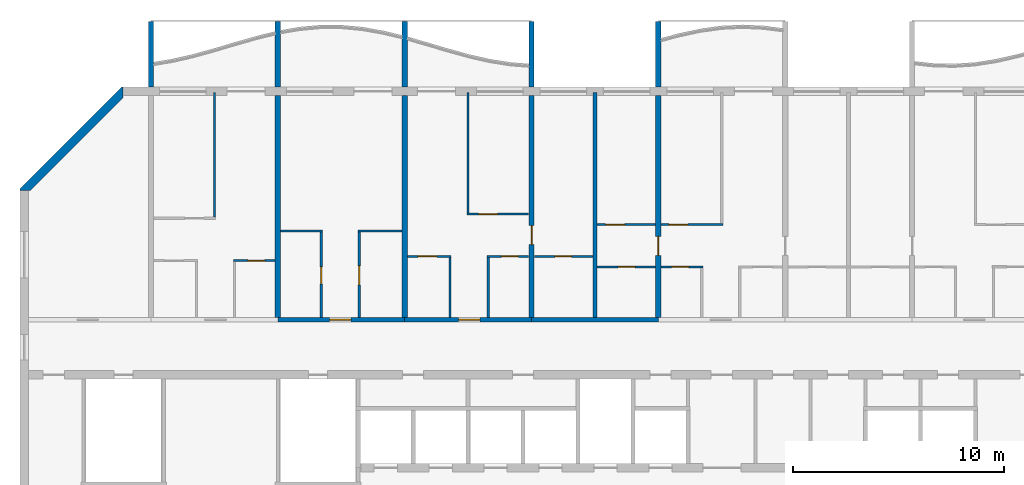
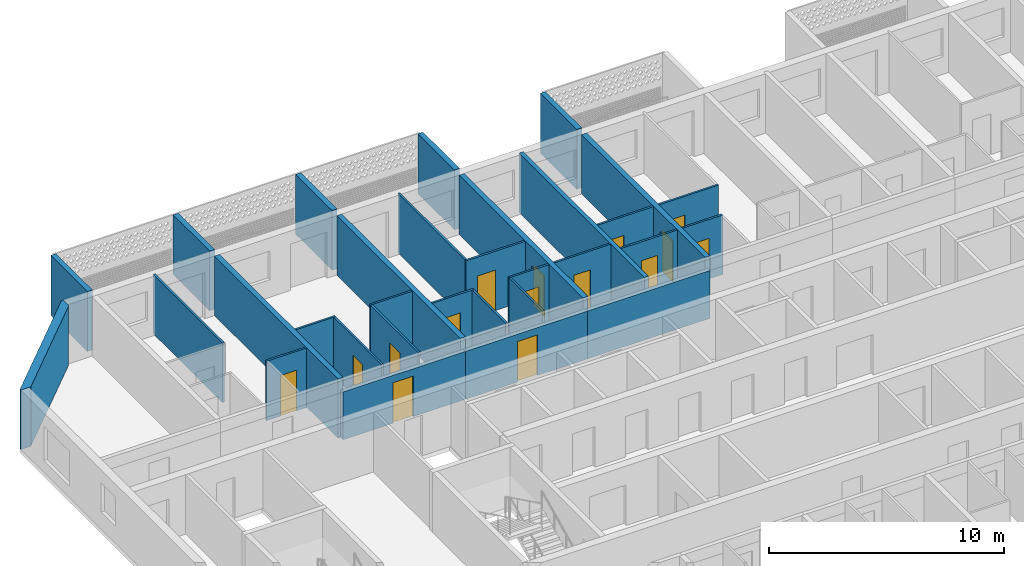
# One storey, part 8 of 27: 31 walls, 15 doors, 15 openings.
"""IFC4 building model written with IfcOpenShell, lengths in metres."""

import ifcopenshell
import ifcopenshell.guid

model = None  # the IFC model being written
_history = None  # IfcOwnerHistory: only IFC2X3 demands one
_inside = {}  # id of a spatial element -> (the spatial element, [elements in it])
_under = {}  # id of a project, library or spatial element -> (it, [spatial elements below it])
_declared = {}  # id of a project -> (the project, [libraries it declares])
_typed = {}  # id of a type object -> (the type object, [elements of that type])
_made_of = {}  # id of a material, layer set ... -> (it, [elements and type objects made of it])


def new_model(schema):
    """Start an empty IFC model of exactly this schema.

    Asked for "IFC4X3", IfcOpenShell would pick the latest addendum, in which some entities
    have other attributes; the version numbers below select the first issue.
    IFC2X3 requires an IfcOwnerHistory on every rooted entity: one is made here for all.
    """
    global model, _history
    if schema == "IFC4X3":
        model = ifcopenshell.file(schema_version=(4, 3, 0, 0))
    else:
        model = ifcopenshell.file(schema=schema)
    _inside.clear()
    _under.clear()
    _declared.clear()
    _typed.clear()
    _made_of.clear()
    _history = None
    if model.schema == "IFC2X3":
        org = make("IfcOrganization", Name="unknown")
        user = make(
            "IfcPersonAndOrganization",
            ThePerson=make("IfcPerson", FamilyName="unknown"),
            TheOrganization=org,
        )
        app = make(
            "IfcApplication",
            ApplicationDeveloper=org,
            Version="unknown",
            ApplicationFullName="unknown",
            ApplicationIdentifier="unknown",
        )
        _history = make(
            "IfcOwnerHistory",
            OwningUser=user,
            OwningApplication=app,
            ChangeAction="ADDED",
            CreationDate=0,
        )
    return model


def make(cls, **values):
    """One entity of the class cls with the attributes given. An attribute that is None is left unset."""
    return model.create_entity(
        cls, **{name: value for name, value in values.items() if value is not None}
    )


def rooted(cls, **values):
    """An entity with a GlobalId (a new one), such as an element, a storey or a relation."""
    return make(cls, GlobalId=ifcopenshell.guid.new(), OwnerHistory=_history, **values)


def si_unit(unit_type, name, prefix=None):
    """IfcSIUnit, for example si_unit("LENGTHUNIT", "METRE", prefix="MILLI")."""
    return make("IfcSIUnit", UnitType=unit_type, Prefix=prefix, Name=name)


def assignment(units):
    """IfcUnitAssignment: the units of a project."""
    return None if units is None else make("IfcUnitAssignment", Units=units)


def point(xyz):
    """IfcCartesianPoint."""
    return None if xyz is None else make("IfcCartesianPoint", Coordinates=xyz)


def direction(xyz):
    """IfcDirection."""
    return None if xyz is None else make("IfcDirection", DirectionRatios=xyz)


def frame(location, z_axis=None, x_axis=None):
    """IfcAxis2Placement3D, a coordinate frame: its origin and axes. An axis left out is left unset."""
    return make(
        "IfcAxis2Placement3D",
        Location=point(location),
        Axis=direction(z_axis),
        RefDirection=direction(x_axis),
    )


def frame_2d(location, x_axis=None):
    """IfcAxis2Placement2D, a coordinate frame in the plane: its origin and x axis."""
    return make(
        "IfcAxis2Placement2D", Location=point(location), RefDirection=direction(x_axis)
    )


def origin():
    """The frame at (0, 0, 0) with its axes left unset."""
    return frame((0.0, 0.0, 0.0))


def place(relative_to, where):
    """IfcLocalPlacement: puts the frame where relative to a parent placement (None: the world)."""
    return make(
        "IfcLocalPlacement", PlacementRelTo=relative_to, RelativePlacement=where
    )


def context(
    kind, dimensions, precision=None, world=None, true_north=None, identifier=None
):
    """IfcGeometricRepresentationContext, for example the 3D "Model" context."""
    return make(
        "IfcGeometricRepresentationContext",
        ContextIdentifier=identifier,
        ContextType=kind,
        CoordinateSpaceDimension=dimensions,
        Precision=precision,
        WorldCoordinateSystem=world,
        TrueNorth=true_north,
    )


def subcontext(parent, identifier, kind, view, scale=None):
    """IfcGeometricRepresentationSubContext, for example "Body" below "Model"."""
    return make(
        "IfcGeometricRepresentationSubContext",
        ContextIdentifier=identifier,
        ContextType=kind,
        ParentContext=parent,
        TargetScale=scale,
        TargetView=view,
    )


def project(units=None, contexts=None):
    """IfcProject with its units and contexts."""
    return rooted(
        "IfcProject",
        Name="project",
        RepresentationContexts=contexts,
        UnitsInContext=assignment(units),
    )


def spatial(cls, under=None, at=None, **own):
    """A site, building, storey or space (cls), placed at a placement, below another one or the project."""
    s = rooted(cls, ObjectPlacement=at, **own)
    if under is not None:
        _under.setdefault(under.id(), (under, []))[1].append(s)
    return s


def polyline(points):
    """IfcPolyline through the points."""
    return make("IfcPolyline", Points=[point(p) for p in points])


def profile(cls, at=None, kind="AREA", **sizes):
    """A parametric profile (cls). Its sizes go by their IFC names, for example OverallWidth=200.0."""
    return make(cls, ProfileType=kind, Position=at, **sizes)


def rectangle(**sizes):
    """IfcRectangleProfileDef."""
    return profile("IfcRectangleProfileDef", **sizes)


def outline(outer, holes=None, kind="AREA"):
    """IfcArbitraryClosedProfileDef: a profile drawn as a closed curve; with holes, ...WithVoids."""
    if holes is None:
        return make("IfcArbitraryClosedProfileDef", ProfileType=kind, OuterCurve=outer)
    return make(
        "IfcArbitraryProfileDefWithVoids",
        ProfileType=kind,
        OuterCurve=outer,
        InnerCurves=holes,
    )


def extrude(swept, where, along, depth):
    """IfcExtrudedAreaSolid: the profile swept, set in the frame where, extruded along a direction by depth."""
    return make(
        "IfcExtrudedAreaSolid",
        SweptArea=swept,
        Position=where,
        ExtrudedDirection=direction(along),
        Depth=depth,
    )


def shape(context_of_items, identifier, shape_type, items):
    """IfcShapeRepresentation: the items that make up one representation, for example the "Body"."""
    return make(
        "IfcShapeRepresentation",
        ContextOfItems=context_of_items,
        RepresentationIdentifier=identifier,
        RepresentationType=shape_type,
        Items=items,
    )


def source(mapping_origin, context_of_items, identifier, shape_type, items):
    """IfcRepresentationMap: a shape defined once, which mapped items show again and again."""
    return make(
        "IfcRepresentationMap",
        MappingOrigin=mapping_origin,
        MappedRepresentation=shape(context_of_items, identifier, shape_type, items),
    )


def transform(
    local_origin,
    x_axis=None,
    y_axis=None,
    z_axis=None,
    scale=None,
    scale2=None,
    scale3=None,
    uniform=True,
):
    """IfcCartesianTransformationOperator3D, or its non-uniform kind. x_axis, y_axis, z_axis: its Axis1, 2, 3."""
    if uniform:
        return make(
            "IfcCartesianTransformationOperator3D",
            Axis1=direction(x_axis),
            Axis2=direction(y_axis),
            LocalOrigin=point(local_origin),
            Scale=scale,
            Axis3=direction(z_axis),
        )
    return make(
        "IfcCartesianTransformationOperator3DnonUniform",
        Axis1=direction(x_axis),
        Axis2=direction(y_axis),
        LocalOrigin=point(local_origin),
        Scale=scale,
        Axis3=direction(z_axis),
        Scale2=scale2,
        Scale3=scale3,
    )


def mapped(mapping_source, mapping_target):
    """IfcMappedItem: shows the shape of a source again, moved by a transform."""
    return make(
        "IfcMappedItem", MappingSource=mapping_source, MappingTarget=mapping_target
    )


def material(Name=None, Category=None):
    """IfcMaterial."""
    return make("IfcMaterial", Name=Name, Category=Category)


def layer(
    of_material, thickness, ventilated=None, Name=None, Category=None, Priority=None
):
    """IfcMaterialLayer: one layer of a wall or slab, of a material (None: an air gap)."""
    return make(
        "IfcMaterialLayer",
        Material=of_material,
        LayerThickness=thickness,
        IsVentilated=ventilated,
        Name=Name,
        Category=Category,
        Priority=Priority,
    )


def layer_set(layers, Name=None):
    """IfcMaterialLayerSet."""
    return make("IfcMaterialLayerSet", MaterialLayers=layers, LayerSetName=Name)


def made_of(thing, what):
    """Note that an element or type object is made of a material, layer set ...; save() writes the relation."""
    if what is not None:
        _made_of.setdefault(what.id(), (what, []))[1].append(thing)
    return thing


def type_object(cls, material=None, **own):
    """A type object (cls), such as IfcWallType, which elements share."""
    return made_of(rooted(cls, **own), material)


def element(
    cls,
    number,
    at=None,
    inside=None,
    cuts=None,
    type_object=None,
    material=None,
    context=None,
    identifier="Body",
    shape_type=None,
    held_by="IfcProductDefinitionShape",
    body=None,
    shapes=None,
    **own,
):
    """One element of the class cls, such as IfcWall. Its Tag is "e" and its number.

    at: its placement. inside: the storey or other place that contains it. cuts: it is an
    opening in that element (IfcRelVoidsElement). A single representation is given by context,
    identifier, shape_type and body (its items); several are given by shapes. held_by: the class
    of the entity that holds the representations. save() writes the other relations.
    """
    e = rooted(cls, Tag="e%d" % number, ObjectPlacement=at, **own)
    if body is not None:
        shapes = [shape(context, identifier, shape_type, body)]
    if shapes is not None:
        e.Representation = make(held_by, Representations=shapes)
    if inside is not None:
        _inside.setdefault(inside.id(), (inside, []))[1].append(e)
    if cuts is not None:
        rooted(
            "IfcRelVoidsElement", RelatingBuildingElement=cuts, RelatedOpeningElement=e
        )
    if type_object is not None:
        _typed.setdefault(type_object.id(), (type_object, []))[1].append(e)
    return made_of(e, material)


def fill(opening, filler):
    """IfcRelFillsElement: the door or window that sits in an opening."""
    return rooted(
        "IfcRelFillsElement",
        RelatingOpeningElement=opening,
        RelatedBuildingElement=filler,
    )


def aggregate(whole, parts):
    """IfcRelAggregates: a whole, such as a stair, and the parts it consists of."""
    return rooted("IfcRelAggregates", RelatingObject=whole, RelatedObjects=parts)


def save(model, path):
    """Write the relations noted so far, then the file.

    IfcRelAggregates (storeys below a building ...), IfcRelContainedInSpatialStructure (elements
    in a storey), IfcRelDefinesByType, IfcRelAssociatesMaterial and IfcRelDeclares: one each for
    every whole, place, type object, material and project.
    """
    for whole, parts in _under.values():
        aggregate(whole, parts)
    for where, things in _inside.values():
        rooted(
            "IfcRelContainedInSpatialStructure",
            RelatedElements=things,
            RelatingStructure=where,
        )
    for kind, things in _typed.values():
        rooted("IfcRelDefinesByType", RelatedObjects=things, RelatingType=kind)
    for what, things in _made_of.values():
        rooted("IfcRelAssociatesMaterial", RelatedObjects=things, RelatingMaterial=what)
    for by, libraries in _declared.values():
        rooted("IfcRelDeclares", RelatingContext=by, RelatedDefinitions=libraries)
    model.write(path)


model = new_model("IFC4")

# Units and contexts
model_context = context("Model", 3, precision=1e-05, world=origin(), true_north=direction((0.0, 1.0)))
body_context = subcontext(model_context, "Body", "Model", "MODEL_VIEW")
ifc_project = project(units=[si_unit("LENGTHUNIT", "METRE"), si_unit("AREAUNIT", "SQUARE_METRE"), si_unit("VOLUMEUNIT", "CUBIC_METRE"), si_unit("PLANEANGLEUNIT", "RADIAN"), si_unit("MASSUNIT", "GRAM", prefix="KILO")], contexts=[model_context])

# Site, building, storey
site_placement = place(None, origin())
site = spatial("IfcSite", under=ifc_project, at=site_placement, CompositionType="ELEMENT")
building_placement = place(site_placement, origin())
building = spatial("IfcBuilding", under=site, at=building_placement, Name="Poui Terraces", CompositionType="ELEMENT")
storey_placement = place(building_placement, frame((0.0, 0.0, 201.60009765625)))
storey = spatial("IfcBuildingStorey", under=building, at=storey_placement, Name="L56", CompositionType="ELEMENT", Elevation=201.60009765625)

# Wall, opening, door
ifc_material_1 = material(Name="Concrete 50 MPa", Category="concrete")
ifc_layer_1 = layer(ifc_material_1, 0.199951171875)
ifc_layer_set_1 = layer_set([ifc_layer_1], Name="Concrete 50 MPa")
wall_type_1 = type_object("IfcWallType", Name="CORRIDOR WALL 200 50MPa", PredefinedType="SHEAR", material=ifc_layer_set_1)
wall_1_placement = place(storey_placement, frame((30.0, 30.39990234375, 0.0), z_axis=(0.0, 0.0, 1.0), x_axis=(1.0, 0.0, 0.0)))
wall_1 = element("IfcWall", 1, at=wall_1_placement, inside=storey, type_object=wall_type_1, Name="CORRIDOR WALL LINE E BAY 3", PredefinedType="SHEAR", context=body_context, shape_type="SweptSolid", body=[
    extrude(rectangle(XDim=6.0, YDim=0.199951171875, at=frame_2d((3.0, 0.0))), origin(), (0.0, 0.0, 1.0), 2.47998046875),
])
opening_1_placement = place(wall_1_placement, frame((2.449951171875, 0.0, 0.0)))
opening_1 = element("IfcOpeningElement", 2, at=opening_1_placement, cuts=wall_1, Name="Opening FD30S", PredefinedType="OPENING", context=body_context, shape_type="SweptSolid", body=[
    extrude(rectangle(XDim=1.0, YDim=2.10009765625, at=frame_2d((0.5, 1.050048828125))), frame((0.0, 0.10986328125, 0.0), z_axis=(0.0, -1.0, 0.0), x_axis=(1.0, 0.0, 0.0)), (0.0, 0.0, 1.0), 0.219970703125),
])
ifc_material_2 = material(Name="Steel fire door", Category="steel")
door_type_1 = type_object("IfcDoorType", Name="FLAT ENTRANCE DOOR 1000 X 2100", OperationType="NOTDEFINED", PredefinedType="DOOR", material=ifc_material_2)
door_1_placement = place(opening_1_placement, origin())
door_1 = element("IfcDoor", 3, at=door_1_placement, inside=storey, type_object=door_type_1, Name="FLAT ENTRANCE DOOR 032", OperationType="SINGLE_SWING_LEFT", OverallHeight=2.10009765625, OverallWidth=1.0, PredefinedType="DOOR", context=body_context, shape_type="SweptSolid", body=[
    extrude(rectangle(XDim=1.0, YDim=2.10009765625, at=frame_2d((0.5, 1.050048828125))), frame((0.0, 0.02490234375, 0.0), z_axis=(0.0, -1.0, 0.0), x_axis=(1.0, 0.0, 0.0)), (0.0, 0.0, 1.0), 0.050048828125),
])
fill(opening_1, door_1)

wall_2_placement = place(storey_placement, frame((36.0, 30.39990234375, 0.0), z_axis=(0.0, 0.0, 1.0), x_axis=(1.0, 0.0, 0.0)))
wall_2 = element("IfcWall", 4, at=wall_2_placement, inside=storey, type_object=wall_type_1, Name="CORRIDOR WALL LINE E BAY 4", PredefinedType="SHEAR", context=body_context, shape_type="SweptSolid", body=[
    extrude(rectangle(XDim=6.0, YDim=0.199951171875, at=frame_2d((3.0, 0.0))), origin(), (0.0, 0.0, 1.0), 2.47998046875),
])
opening_2_placement = place(wall_2_placement, frame((2.550048828125, 0.0, 0.0)))
opening_2 = element("IfcOpeningElement", 5, at=opening_2_placement, cuts=wall_2, Name="Opening FD30S", PredefinedType="OPENING", context=body_context, shape_type="SweptSolid", body=[
    extrude(rectangle(XDim=1.0, YDim=2.10009765625, at=frame_2d((0.5, 1.050048828125))), frame((0.0, 0.10986328125, 0.0), z_axis=(0.0, -1.0, 0.0), x_axis=(1.0, 0.0, 0.0)), (0.0, 0.0, 1.0), 0.219970703125),
])
door_2_placement = place(opening_2_placement, origin())
door_2 = element("IfcDoor", 6, at=door_2_placement, inside=storey, type_object=door_type_1, Name="FLAT ENTRANCE DOOR 036", OperationType="SINGLE_SWING_RIGHT", OverallHeight=2.10009765625, OverallWidth=1.0, PredefinedType="DOOR", context=body_context, shape_type="SweptSolid", body=[
    extrude(rectangle(XDim=1.0, YDim=2.10009765625, at=frame_2d((0.5, 1.050048828125))), frame((0.0, 0.02490234375, 0.0), z_axis=(0.0, -1.0, 0.0), x_axis=(1.0, 0.0, 0.0)), (0.0, 0.0, 1.0), 0.050048828125),
])
fill(opening_2, door_2)

# Walls
wall_3_placement = place(storey_placement, frame((42.0, 30.39990234375, 0.0), z_axis=(0.0, 0.0, 1.0), x_axis=(1.0, 0.0, 0.0)))
element("IfcWall", 7, at=wall_3_placement, inside=storey, type_object=wall_type_1, Name="CORRIDOR WALL LINE E BAY 5", PredefinedType="SHEAR", context=body_context, shape_type="SweptSolid", body=[
    extrude(rectangle(XDim=6.0, YDim=0.199951171875, at=frame_2d((3.0, 0.0))), origin(), (0.0, 0.0, 1.0), 2.47998046875),
])
ifc_layer_2 = layer(ifc_material_1, 0.25)
ifc_layer_set_2 = layer_set([ifc_layer_2], Name="Concrete 50 MPa")
wall_type_2 = type_object("IfcWallType", Name="CROSS WALL 250 50MPa", PredefinedType="SHEAR", material=ifc_layer_set_2)
for number, where, z_axis, x_axis, name in (
    (8, (30.0, 30.5, 0.0), (0.0, 0.0, 1.0), (0.0, 1.0, 0.0), "CROSS WALL LINE 6 NORTH"),
    (9, (36.0, 30.5, 0.0), (0.0, 0.0, 1.0), (0.0, 1.0, 0.0), "CROSS WALL LINE 7 NORTH"),
):
    element("IfcWall", number, at=place(storey_placement, frame(where, z_axis=z_axis, x_axis=x_axis)), inside=storey, type_object=wall_type_2, Name=name, PredefinedType="SHEAR", context=body_context, shape_type="SweptSolid", body=[
        extrude(rectangle(XDim=10.5, YDim=0.25, at=frame_2d((5.25, 0.0))), origin(), (0.0, 0.0, 1.0), 3.079833984375),
    ])

# Wall, opening, door
wall_4_placement = place(storey_placement, frame((42.0, 30.5, 0.0), z_axis=(0.0, 0.0, 1.0), x_axis=(0.0, 1.0, 0.0)))
wall_4 = element("IfcWall", 10, at=wall_4_placement, inside=storey, type_object=wall_type_2, Name="CROSS WALL LINE 8 NORTH", PredefinedType="SHEAR", context=body_context, shape_type="SweptSolid", body=[
    extrude(rectangle(XDim=10.5, YDim=0.25, at=frame_2d((5.25, 0.0))), origin(), (0.0, 0.0, 1.0), 3.079833984375),
])
opening_3_placement = place(wall_4_placement, frame((3.449951171875, 0.0, 0.0)))
opening_3 = element("IfcOpeningElement", 11, at=opening_3_placement, cuts=wall_4, Name="Opening D90", PredefinedType="OPENING", context=body_context, shape_type="SweptSolid", body=[
    extrude(rectangle(XDim=0.89990234375, YDim=2.10009765625, at=frame_2d((0.449951171875, 1.050048828125))), frame((0.0, 0.135009765625, 0.0), z_axis=(0.0, -1.0, 0.0), x_axis=(1.0, 0.0, 0.0)), (0.0, 0.0, 1.0), 0.27001953125),
])
ifc_material_3 = material(Name="Solid core timber door", Category="wood")
door_type_2 = type_object("IfcDoorType", Name="INTERNAL DOOR 900 X 2100", OperationType="NOTDEFINED", PredefinedType="DOOR", material=ifc_material_3)
door_3_placement = place(opening_3_placement, frame((0.89990234375, 0.0, 0.0), z_axis=(0.0, 0.0, 1.0), x_axis=(-1.0, 0.0, 0.0)))
door_3 = element("IfcDoor", 12, at=door_3_placement, inside=storey, type_object=door_type_2, Name="INTERNAL DOOR 039", OperationType="SINGLE_SWING_RIGHT", OverallHeight=2.10009765625, OverallWidth=0.89990234375, PredefinedType="DOOR", context=body_context, shape_type="SweptSolid", body=[
    extrude(rectangle(XDim=0.89990234375, YDim=2.10009765625, at=frame_2d((0.449951171875, 1.050048828125))), frame((0.0, 0.02490234375, 0.0), z_axis=(0.0, -1.0, 0.0), x_axis=(1.0, 0.0, 0.0)), (0.0, 0.0, 1.0), 0.050048828125),
])
fill(opening_3, door_3)

wall_5_placement = place(storey_placement, frame((48.0, 30.5, 0.0), z_axis=(0.0, 0.0, 1.0), x_axis=(0.0, 1.0, 0.0)))
wall_5 = element("IfcWall", 13, at=wall_5_placement, inside=storey, type_object=wall_type_2, Name="CROSS WALL LINE 9 NORTH", PredefinedType="SHEAR", context=body_context, shape_type="SweptSolid", body=[
    extrude(rectangle(XDim=10.5, YDim=0.25, at=frame_2d((5.25, 0.0))), origin(), (0.0, 0.0, 1.0), 3.079833984375),
])
opening_4_placement = place(wall_5_placement, frame((2.949951171875, 0.0, 0.0)))
opening_4 = element("IfcOpeningElement", 14, at=opening_4_placement, cuts=wall_5, Name="Opening D90", PredefinedType="OPENING", context=body_context, shape_type="SweptSolid", body=[
    extrude(rectangle(XDim=0.89990234375, YDim=2.10009765625, at=frame_2d((0.449951171875, 1.050048828125))), frame((0.0, 0.135009765625, 0.0), z_axis=(0.0, -1.0, 0.0), x_axis=(1.0, 0.0, 0.0)), (0.0, 0.0, 1.0), 0.27001953125),
])
door_4_placement = place(opening_4_placement, frame((0.89990234375, 0.0, 0.0), z_axis=(0.0, 0.0, 1.0), x_axis=(-1.0, 0.0, 0.0)))
door_4 = element("IfcDoor", 15, at=door_4_placement, inside=storey, type_object=door_type_2, Name="INTERNAL DOOR 043", OperationType="SINGLE_SWING_RIGHT", OverallHeight=2.10009765625, OverallWidth=0.89990234375, PredefinedType="DOOR", context=body_context, shape_type="SweptSolid", body=[
    extrude(rectangle(XDim=0.89990234375, YDim=2.10009765625, at=frame_2d((0.449951171875, 1.050048828125))), frame((0.0, 0.02490234375, 0.0), z_axis=(0.0, -1.0, 0.0), x_axis=(1.0, 0.0, 0.0)), (0.0, 0.0, 1.0), 0.050048828125),
])
fill(opening_4, door_4)

ifc_material_4 = material(Name="Plasterboard partition")
ifc_layer_3 = layer(ifc_material_4, 0.10009765625)
ifc_layer_set_3 = layer_set([ifc_layer_3], Name="Plasterboard partition")
wall_type_3 = type_object("IfcWallType", Name="FLAT PARTITION 100", PredefinedType="PARTITIONING", material=ifc_layer_set_3)
wall_6_placement = place(storey_placement, frame((45.10009765625, 32.89990234375, 0.0), z_axis=(0.0, 0.0, 1.0), x_axis=(1.0, 0.0, 0.0)))
wall_6 = element("IfcWall", 16, at=wall_6_placement, inside=storey, type_object=wall_type_3, Name="FLAT PARTITION 100", PredefinedType="PARTITIONING", context=body_context, shape_type="SweptSolid", body=[
    extrude(rectangle(XDim=2.764892578125, YDim=0.10009765625, at=frame_2d((1.38232421875, 0.0))), origin(), (0.0, 0.0, 1.0), 3.079833984375),
])
opening_5_placement = place(wall_6_placement, frame((1.0, 0.0, 0.0)))
opening_5 = element("IfcOpeningElement", 17, at=opening_5_placement, cuts=wall_6, Name="Opening D80", PredefinedType="OPENING", context=body_context, shape_type="SweptSolid", body=[
    extrude(rectangle(XDim=0.800048828125, YDim=2.10009765625, at=frame_2d((0.39990234375, 1.050048828125))), frame((0.0, 0.06005859375, 0.0), z_axis=(0.0, -1.0, 0.0), x_axis=(1.0, 0.0, 0.0)), (0.0, 0.0, 1.0), 0.1201171875),
])
door_type_3 = type_object("IfcDoorType", Name="BATHROOM, LAUNDRY AND STORE DOOR 800 X 2100", OperationType="NOTDEFINED", PredefinedType="DOOR", material=ifc_material_3)
door_5_placement = place(opening_5_placement, frame((0.800048828125, 0.0, 0.0), z_axis=(0.0, 0.0, 1.0), x_axis=(-1.0, 0.0, 0.0)))
door_5 = element("IfcDoor", 18, at=door_5_placement, inside=storey, type_object=door_type_3, Name="BATHROOM, LAUNDRY AND STORE DOOR 042", OperationType="SINGLE_SWING_LEFT", OverallHeight=2.10009765625, OverallWidth=0.800048828125, PredefinedType="DOOR", context=body_context, shape_type="SweptSolid", body=[
    extrude(rectangle(XDim=0.800048828125, YDim=2.10009765625, at=frame_2d((0.39990234375, 1.050048828125))), frame((0.0, 0.02490234375, 0.0), z_axis=(0.0, -1.0, 0.0), x_axis=(1.0, 0.0, 0.0)), (0.0, 0.0, 1.0), 0.050048828125),
])
fill(opening_5, door_5)

wall_7_placement = place(storey_placement, frame((48.135009765625, 32.89990234375, 0.0), z_axis=(0.0, 0.0, 1.0), x_axis=(1.0, 0.0, 0.0)))
wall_7 = element("IfcWall", 19, at=wall_7_placement, inside=storey, type_object=wall_type_3, Name="FLAT PARTITION 100", PredefinedType="PARTITIONING", context=body_context, shape_type="SweptSolid", body=[
    extrude(rectangle(XDim=1.965087890625, YDim=0.10009765625, at=frame_2d((0.982421875, 0.0))), origin(), (0.0, 0.0, 1.0), 3.079833984375),
])
opening_6_placement = place(wall_7_placement, frame((0.489990234375, 0.0, 0.0)))
opening_6 = element("IfcOpeningElement", 20, at=opening_6_placement, cuts=wall_7, Name="Opening D80", PredefinedType="OPENING", context=body_context, shape_type="SweptSolid", body=[
    extrude(rectangle(XDim=0.800048828125, YDim=2.10009765625, at=frame_2d((0.39990234375, 1.050048828125))), frame((0.0, 0.06005859375, 0.0), z_axis=(0.0, -1.0, 0.0), x_axis=(1.0, 0.0, 0.0)), (0.0, 0.0, 1.0), 0.1201171875),
])
door_6_placement = place(opening_6_placement, frame((0.800048828125, 0.0, 0.0), z_axis=(0.0, 0.0, 1.0), x_axis=(-1.0, 0.0, 0.0)))
door_6 = element("IfcDoor", 21, at=door_6_placement, inside=storey, type_object=door_type_3, Name="BATHROOM, LAUNDRY AND STORE DOOR 045", OperationType="SINGLE_SWING_RIGHT", OverallHeight=2.10009765625, OverallWidth=0.800048828125, PredefinedType="DOOR", context=body_context, shape_type="SweptSolid", body=[
    extrude(rectangle(XDim=0.800048828125, YDim=2.10009765625, at=frame_2d((0.39990234375, 1.050048828125))), frame((0.0, 0.02490234375, 0.0), z_axis=(0.0, -1.0, 0.0), x_axis=(1.0, 0.0, 0.0)), (0.0, 0.0, 1.0), 0.050048828125),
])
fill(opening_6, door_6)

wall_8_placement = place(storey_placement, frame((27.89990234375, 33.199951171875, 0.0), z_axis=(0.0, 0.0, 1.0), x_axis=(1.0, 0.0, 0.0)))
wall_8 = element("IfcWall", 22, at=wall_8_placement, inside=storey, type_object=wall_type_3, Name="FLAT PARTITION 100", PredefinedType="PARTITIONING", context=body_context, shape_type="SweptSolid", body=[
    extrude(rectangle(XDim=1.965087890625, YDim=0.10009765625, at=frame_2d((0.982421875, 0.0))), origin(), (0.0, 0.0, 1.0), 3.079833984375),
])
opening_7_placement = place(wall_8_placement, frame((0.675048828125, 0.0, 0.0)))
opening_7 = element("IfcOpeningElement", 23, at=opening_7_placement, cuts=wall_8, Name="Opening D80", PredefinedType="OPENING", context=body_context, shape_type="SweptSolid", body=[
    extrude(rectangle(XDim=0.800048828125, YDim=2.10009765625, at=frame_2d((0.39990234375, 1.050048828125))), frame((0.0, 0.06005859375, 0.0), z_axis=(0.0, -1.0, 0.0), x_axis=(1.0, 0.0, 0.0)), (0.0, 0.0, 1.0), 0.1201171875),
])
door_7_placement = place(opening_7_placement, frame((0.800048828125, 0.0, 0.0), z_axis=(0.0, 0.0, 1.0), x_axis=(-1.0, 0.0, 0.0)))
door_7 = element("IfcDoor", 24, at=door_7_placement, inside=storey, type_object=door_type_3, Name="BATHROOM, LAUNDRY AND STORE DOOR 030", OperationType="SINGLE_SWING_RIGHT", OverallHeight=2.10009765625, OverallWidth=0.800048828125, PredefinedType="DOOR", context=body_context, shape_type="SweptSolid", body=[
    extrude(rectangle(XDim=0.800048828125, YDim=2.10009765625, at=frame_2d((0.39990234375, 1.050048828125))), frame((0.0, 0.02490234375, 0.0), z_axis=(0.0, -1.0, 0.0), x_axis=(1.0, 0.0, 0.0)), (0.0, 0.0, 1.0), 0.050048828125),
])
fill(opening_7, door_7)

wall_9_placement = place(storey_placement, frame((36.135009765625, 33.39990234375, 0.0), z_axis=(0.0, 0.0, 1.0), x_axis=(1.0, 0.0, 0.0)))
wall_9 = element("IfcWall", 25, at=wall_9_placement, inside=storey, type_object=wall_type_3, Name="FLAT PARTITION 100", PredefinedType="PARTITIONING", context=body_context, shape_type="SweptSolid", body=[
    extrude(rectangle(XDim=2.06494140625, YDim=0.10009765625, at=frame_2d((1.032470703125, 0.0))), origin(), (0.0, 0.0, 1.0), 3.079833984375),
])
opening_8_placement = place(wall_9_placement, frame((0.489990234375, 0.0, 0.0)))
opening_8 = element("IfcOpeningElement", 26, at=opening_8_placement, cuts=wall_9, Name="Opening D90", PredefinedType="OPENING", context=body_context, shape_type="SweptSolid", body=[
    extrude(rectangle(XDim=0.89990234375, YDim=2.10009765625, at=frame_2d((0.449951171875, 1.050048828125))), frame((0.0, 0.06005859375, 0.0), z_axis=(0.0, -1.0, 0.0), x_axis=(1.0, 0.0, 0.0)), (0.0, 0.0, 1.0), 0.1201171875),
])
door_8_placement = place(opening_8_placement, frame((0.89990234375, 0.0, 0.0), z_axis=(0.0, 0.0, 1.0), x_axis=(-1.0, 0.0, 0.0)))
door_8 = element("IfcDoor", 27, at=door_8_placement, inside=storey, type_object=door_type_2, Name="INTERNAL DOOR 035", OperationType="SINGLE_SWING_LEFT", OverallHeight=2.10009765625, OverallWidth=0.89990234375, PredefinedType="DOOR", context=body_context, shape_type="SweptSolid", body=[
    extrude(rectangle(XDim=0.89990234375, YDim=2.10009765625, at=frame_2d((0.449951171875, 1.050048828125))), frame((0.0, 0.02490234375, 0.0), z_axis=(0.0, -1.0, 0.0), x_axis=(1.0, 0.0, 0.0)), (0.0, 0.0, 1.0), 0.050048828125),
])
fill(opening_8, door_8)

wall_10_placement = place(storey_placement, frame((39.89990234375, 33.39990234375, 0.0), z_axis=(0.0, 0.0, 1.0), x_axis=(1.0, 0.0, 0.0)))
wall_10 = element("IfcWall", 28, at=wall_10_placement, inside=storey, type_object=wall_type_3, Name="FLAT PARTITION 100", PredefinedType="PARTITIONING", context=body_context, shape_type="SweptSolid", body=[
    extrude(rectangle(XDim=1.965087890625, YDim=0.10009765625, at=frame_2d((0.982421875, 0.0))), origin(), (0.0, 0.0, 1.0), 3.079833984375),
])
opening_9_placement = place(wall_10_placement, frame((0.675048828125, 0.0, 0.0)))
opening_9 = element("IfcOpeningElement", 29, at=opening_9_placement, cuts=wall_10, Name="Opening D80", PredefinedType="OPENING", context=body_context, shape_type="SweptSolid", body=[
    extrude(rectangle(XDim=0.800048828125, YDim=2.10009765625, at=frame_2d((0.39990234375, 1.050048828125))), frame((0.0, 0.06005859375, 0.0), z_axis=(0.0, -1.0, 0.0), x_axis=(1.0, 0.0, 0.0)), (0.0, 0.0, 1.0), 0.1201171875),
])
door_9_placement = place(opening_9_placement, frame((0.800048828125, 0.0, 0.0), z_axis=(0.0, 0.0, 1.0), x_axis=(-1.0, 0.0, 0.0)))
door_9 = element("IfcDoor", 30, at=door_9_placement, inside=storey, type_object=door_type_3, Name="BATHROOM, LAUNDRY AND STORE DOOR 038", OperationType="SINGLE_SWING_RIGHT", OverallHeight=2.10009765625, OverallWidth=0.800048828125, PredefinedType="DOOR", context=body_context, shape_type="SweptSolid", body=[
    extrude(rectangle(XDim=0.800048828125, YDim=2.10009765625, at=frame_2d((0.39990234375, 1.050048828125))), frame((0.0, 0.02490234375, 0.0), z_axis=(0.0, -1.0, 0.0), x_axis=(1.0, 0.0, 0.0)), (0.0, 0.0, 1.0), 0.050048828125),
])
fill(opening_9, door_9)

wall_11_placement = place(storey_placement, frame((42.135009765625, 33.39990234375, 0.0), z_axis=(0.0, 0.0, 1.0), x_axis=(1.0, 0.0, 0.0)))
wall_11 = element("IfcWall", 31, at=wall_11_placement, inside=storey, type_object=wall_type_3, Name="FLAT PARTITION 100", PredefinedType="PARTITIONING", context=body_context, shape_type="SweptSolid", body=[
    extrude(rectangle(XDim=2.764892578125, YDim=0.10009765625, at=frame_2d((1.38232421875, 0.0))), origin(), (0.0, 0.0, 1.0), 3.079833984375),
])
opening_10_placement = place(wall_11_placement, frame((0.965087890625, 0.0, 0.0)))
opening_10 = element("IfcOpeningElement", 32, at=opening_10_placement, cuts=wall_11, Name="Opening D80", PredefinedType="OPENING", context=body_context, shape_type="SweptSolid", body=[
    extrude(rectangle(XDim=0.800048828125, YDim=2.10009765625, at=frame_2d((0.39990234375, 1.050048828125))), frame((0.0, 0.06005859375, 0.0), z_axis=(0.0, -1.0, 0.0), x_axis=(1.0, 0.0, 0.0)), (0.0, 0.0, 1.0), 0.1201171875),
])
door_10_placement = place(opening_10_placement, frame((0.800048828125, 0.0, 0.0), z_axis=(0.0, 0.0, 1.0), x_axis=(-1.0, 0.0, 0.0)))
door_10 = element("IfcDoor", 33, at=door_10_placement, inside=storey, type_object=door_type_3, Name="BATHROOM, LAUNDRY AND STORE DOOR 034", OperationType="SINGLE_SWING_LEFT", OverallHeight=2.10009765625, OverallWidth=0.800048828125, PredefinedType="DOOR", context=body_context, shape_type="SweptSolid", body=[
    extrude(rectangle(XDim=0.800048828125, YDim=2.10009765625, at=frame_2d((0.39990234375, 1.050048828125))), frame((0.0, 0.02490234375, 0.0), z_axis=(0.0, -1.0, 0.0), x_axis=(1.0, 0.0, 0.0)), (0.0, 0.0, 1.0), 0.050048828125),
])
fill(opening_10, door_10)

# Walls
wall_12_placement = place(storey_placement, frame((30.135009765625, 34.60009765625, 0.0), z_axis=(0.0, 0.0, 1.0), x_axis=(1.0, 0.0, 0.0)))
element("IfcWall", 34, at=wall_12_placement, inside=storey, type_object=wall_type_3, Name="FLAT PARTITION 100", PredefinedType="PARTITIONING", context=body_context, shape_type="SweptSolid", body=[
    extrude(rectangle(XDim=1.965087890625, YDim=0.10009765625, at=frame_2d((0.982421875, 0.0))), origin(), (0.0, 0.0, 1.0), 3.079833984375),
])
wall_13_placement = place(storey_placement, frame((33.800048828125, 34.60009765625, 0.0), z_axis=(0.0, 0.0, 1.0), x_axis=(1.0, 0.0, 0.0)))
element("IfcWall", 35, at=wall_13_placement, inside=storey, type_object=wall_type_3, Name="FLAT PARTITION 100", PredefinedType="PARTITIONING", context=body_context, shape_type="SweptSolid", body=[
    extrude(rectangle(XDim=2.06494140625, YDim=0.10009765625, at=frame_2d((1.032470703125, 0.0))), origin(), (0.0, 0.0, 1.0), 3.079833984375),
])

# Wall, opening, door
wall_14_placement = place(storey_placement, frame((45.10009765625, 34.89990234375, 0.0), z_axis=(0.0, 0.0, 1.0), x_axis=(1.0, 0.0, 0.0)))
wall_14 = element("IfcWall", 36, at=wall_14_placement, inside=storey, type_object=wall_type_3, Name="FLAT PARTITION 100", PredefinedType="PARTITIONING", context=body_context, shape_type="SweptSolid", body=[
    extrude(rectangle(XDim=2.764892578125, YDim=0.10009765625, at=frame_2d((1.38232421875, 0.0))), origin(), (0.0, 0.0, 1.0), 3.079833984375),
])
opening_11_placement = place(wall_14_placement, frame((0.39990234375, 0.0, 0.0)))
opening_11 = element("IfcOpeningElement", 37, at=opening_11_placement, cuts=wall_14, Name="Opening D90", PredefinedType="OPENING", context=body_context, shape_type="SweptSolid", body=[
    extrude(rectangle(XDim=0.89990234375, YDim=2.10009765625, at=frame_2d((0.449951171875, 1.050048828125))), frame((0.0, 0.06005859375, 0.0), z_axis=(0.0, -1.0, 0.0), x_axis=(1.0, 0.0, 0.0)), (0.0, 0.0, 1.0), 0.1201171875),
])
door_11_placement = place(opening_11_placement, origin())
door_11 = element("IfcDoor", 38, at=door_11_placement, inside=storey, type_object=door_type_2, Name="INTERNAL DOOR 041", OperationType="SINGLE_SWING_LEFT", OverallHeight=2.10009765625, OverallWidth=0.89990234375, PredefinedType="DOOR", context=body_context, shape_type="SweptSolid", body=[
    extrude(rectangle(XDim=0.89990234375, YDim=2.10009765625, at=frame_2d((0.449951171875, 1.050048828125))), frame((0.0, 0.02490234375, 0.0), z_axis=(0.0, -1.0, 0.0), x_axis=(1.0, 0.0, 0.0)), (0.0, 0.0, 1.0), 0.050048828125),
])
fill(opening_11, door_11)

wall_15_placement = place(storey_placement, frame((48.135009765625, 34.89990234375, 0.0), z_axis=(0.0, 0.0, 1.0), x_axis=(1.0, 0.0, 0.0)))
wall_15 = element("IfcWall", 39, at=wall_15_placement, inside=storey, type_object=wall_type_3, Name="FLAT PARTITION 100", PredefinedType="PARTITIONING", context=body_context, shape_type="SweptSolid", body=[
    extrude(rectangle(XDim=2.9150390625, YDim=0.10009765625, at=frame_2d((1.45751953125, 0.0))), origin(), (0.0, 0.0, 1.0), 3.079833984375),
])
opening_12_placement = place(wall_15_placement, frame((0.364990234375, 0.0, 0.0)))
opening_12 = element("IfcOpeningElement", 40, at=opening_12_placement, cuts=wall_15, Name="Opening D90", PredefinedType="OPENING", context=body_context, shape_type="SweptSolid", body=[
    extrude(rectangle(XDim=0.89990234375, YDim=2.10009765625, at=frame_2d((0.449951171875, 1.050048828125))), frame((0.0, 0.06005859375, 0.0), z_axis=(0.0, -1.0, 0.0), x_axis=(1.0, 0.0, 0.0)), (0.0, 0.0, 1.0), 0.1201171875),
])
door_12_placement = place(opening_12_placement, frame((0.89990234375, 0.0, 0.0), z_axis=(0.0, 0.0, 1.0), x_axis=(-1.0, 0.0, 0.0)))
door_12 = element("IfcDoor", 41, at=door_12_placement, inside=storey, type_object=door_type_2, Name="INTERNAL DOOR 044", OperationType="SINGLE_SWING_LEFT", OverallHeight=2.10009765625, OverallWidth=0.89990234375, PredefinedType="DOOR", context=body_context, shape_type="SweptSolid", body=[
    extrude(rectangle(XDim=0.89990234375, YDim=2.10009765625, at=frame_2d((0.449951171875, 1.050048828125))), frame((0.0, 0.02490234375, 0.0), z_axis=(0.0, -1.0, 0.0), x_axis=(1.0, 0.0, 0.0)), (0.0, 0.0, 1.0), 0.050048828125),
])
fill(opening_12, door_12)

wall_16_placement = place(storey_placement, frame((38.949951171875, 35.39990234375, 0.0), z_axis=(0.0, 0.0, 1.0), x_axis=(1.0, 0.0, 0.0)))
wall_16 = element("IfcWall", 42, at=wall_16_placement, inside=storey, type_object=wall_type_3, Name="FLAT PARTITION 100", PredefinedType="PARTITIONING", context=body_context, shape_type="SweptSolid", body=[
    extrude(rectangle(XDim=2.9150390625, YDim=0.10009765625, at=frame_2d((1.45751953125, 0.0))), origin(), (0.0, 0.0, 1.0), 3.079833984375),
])
opening_13_placement = place(wall_16_placement, frame((0.550048828125, 0.0, 0.0)))
opening_13 = element("IfcOpeningElement", 43, at=opening_13_placement, cuts=wall_16, Name="Opening D90", PredefinedType="OPENING", context=body_context, shape_type="SweptSolid", body=[
    extrude(rectangle(XDim=0.89990234375, YDim=2.10009765625, at=frame_2d((0.449951171875, 1.050048828125))), frame((0.0, 0.06005859375, 0.0), z_axis=(0.0, -1.0, 0.0), x_axis=(1.0, 0.0, 0.0)), (0.0, 0.0, 1.0), 0.1201171875),
])
door_13_placement = place(opening_13_placement, frame((0.89990234375, 0.0, 0.0), z_axis=(0.0, 0.0, 1.0), x_axis=(-1.0, 0.0, 0.0)))
door_13 = element("IfcDoor", 44, at=door_13_placement, inside=storey, type_object=door_type_2, Name="INTERNAL DOOR 037", OperationType="SINGLE_SWING_LEFT", OverallHeight=2.10009765625, OverallWidth=0.89990234375, PredefinedType="DOOR", context=body_context, shape_type="SweptSolid", body=[
    extrude(rectangle(XDim=0.89990234375, YDim=2.10009765625, at=frame_2d((0.449951171875, 1.050048828125))), frame((0.0, 0.02490234375, 0.0), z_axis=(0.0, -1.0, 0.0), x_axis=(1.0, 0.0, 0.0)), (0.0, 0.0, 1.0), 0.050048828125),
])
fill(opening_13, door_13)

# Wall
wall_17_placement = place(storey_placement, frame((27.0, 35.25, 0.0), z_axis=(0.0, 0.0, 1.0), x_axis=(0.0, 1.0, 0.0)))
element("IfcWall", 45, at=wall_17_placement, inside=storey, type_object=wall_type_3, Name="FLAT PARTITION 100", PredefinedType="PARTITIONING", context=body_context, shape_type="SweptSolid", body=[
    extrude(rectangle(XDim=5.889892578125, YDim=0.10009765625, at=frame_2d((2.94482421875, 0.0))), origin(), (0.0, 0.0, 1.0), 3.079833984375),
])

# Wall, opening, door
wall_18_placement = place(storey_placement, frame((32.050048828125, 30.510009765625, 0.0), z_axis=(0.0, 0.0, 1.0), x_axis=(0.0, 1.0, 0.0)))
wall_18 = element("IfcWall", 46, at=wall_18_placement, inside=storey, type_object=wall_type_3, Name="FLAT PARTITION 100", PredefinedType="PARTITIONING", context=body_context, shape_type="SweptSolid", body=[
    extrude(rectangle(XDim=4.0400390625, YDim=0.10009765625, at=frame_2d((2.02001953125, 0.0))), origin(), (0.0, 0.0, 1.0), 3.079833984375),
])
opening_14_placement = place(wall_18_placement, frame((1.590087890625, 0.0, 0.0)))
opening_14 = element("IfcOpeningElement", 47, at=opening_14_placement, cuts=wall_18, Name="Opening D80", PredefinedType="OPENING", context=body_context, shape_type="SweptSolid", body=[
    extrude(rectangle(XDim=0.800048828125, YDim=2.10009765625, at=frame_2d((0.39990234375, 1.050048828125))), frame((0.0, 0.06005859375, 0.0), z_axis=(0.0, -1.0, 0.0), x_axis=(1.0, 0.0, 0.0)), (0.0, 0.0, 1.0), 0.1201171875),
])
door_14_placement = place(opening_14_placement, origin())
door_14 = element("IfcDoor", 48, at=door_14_placement, inside=storey, type_object=door_type_3, Name="BATHROOM, LAUNDRY AND STORE DOOR 031", OperationType="SINGLE_SWING_RIGHT", OverallHeight=2.10009765625, OverallWidth=0.800048828125, PredefinedType="DOOR", context=body_context, shape_type="SweptSolid", body=[
    extrude(rectangle(XDim=0.800048828125, YDim=2.10009765625, at=frame_2d((0.39990234375, 1.050048828125))), frame((0.0, 0.02490234375, 0.0), z_axis=(0.0, -1.0, 0.0), x_axis=(1.0, 0.0, 0.0)), (0.0, 0.0, 1.0), 0.050048828125),
])
fill(opening_14, door_14)

wall_19_placement = place(storey_placement, frame((33.85009765625, 30.510009765625, 0.0), z_axis=(0.0, 0.0, 1.0), x_axis=(0.0, 1.0, 0.0)))
wall_19 = element("IfcWall", 49, at=wall_19_placement, inside=storey, type_object=wall_type_3, Name="FLAT PARTITION 100", PredefinedType="PARTITIONING", context=body_context, shape_type="SweptSolid", body=[
    extrude(rectangle(XDim=4.0400390625, YDim=0.10009765625, at=frame_2d((2.02001953125, 0.0))), origin(), (0.0, 0.0, 1.0), 3.079833984375),
])
opening_15_placement = place(wall_19_placement, frame((1.5400390625, 0.0, 0.0)))
opening_15 = element("IfcOpeningElement", 50, at=opening_15_placement, cuts=wall_19, Name="Opening D90", PredefinedType="OPENING", context=body_context, shape_type="SweptSolid", body=[
    extrude(rectangle(XDim=0.89990234375, YDim=2.10009765625, at=frame_2d((0.449951171875, 1.050048828125))), frame((0.0, 0.06005859375, 0.0), z_axis=(0.0, -1.0, 0.0), x_axis=(1.0, 0.0, 0.0)), (0.0, 0.0, 1.0), 0.1201171875),
])
door_15_placement = place(opening_15_placement, frame((0.89990234375, 0.0, 0.0), z_axis=(0.0, 0.0, 1.0), x_axis=(-1.0, 0.0, 0.0)))
door_15 = element("IfcDoor", 51, at=door_15_placement, inside=storey, type_object=door_type_2, Name="INTERNAL DOOR 033", OperationType="SINGLE_SWING_RIGHT", OverallHeight=2.10009765625, OverallWidth=0.89990234375, PredefinedType="DOOR", context=body_context, shape_type="SweptSolid", body=[
    extrude(rectangle(XDim=0.89990234375, YDim=2.10009765625, at=frame_2d((0.449951171875, 1.050048828125))), frame((0.0, 0.02490234375, 0.0), z_axis=(0.0, -1.0, 0.0), x_axis=(1.0, 0.0, 0.0)), (0.0, 0.0, 1.0), 0.050048828125),
])
fill(opening_15, door_15)

# Walls
wall_20_placement = place(storey_placement, frame((38.14990234375, 30.510009765625, 0.0), z_axis=(0.0, 0.0, 1.0), x_axis=(0.0, 1.0, 0.0)))
element("IfcWall", 52, at=wall_20_placement, inside=storey, type_object=wall_type_3, Name="FLAT PARTITION 100", PredefinedType="PARTITIONING", context=body_context, shape_type="SweptSolid", body=[
    extrude(rectangle(XDim=2.840087890625, YDim=0.10009765625, at=frame_2d((1.419921875, 0.0))), origin(), (0.0, 0.0, 1.0), 3.079833984375),
])
wall_21_placement = place(storey_placement, frame((39.0, 35.449951171875, 0.0), z_axis=(0.0, 0.0, 1.0), x_axis=(0.0, 1.0, 0.0)))
element("IfcWall", 53, at=wall_21_placement, inside=storey, type_object=wall_type_3, Name="FLAT PARTITION 100", PredefinedType="PARTITIONING", context=body_context, shape_type="SweptSolid", body=[
    extrude(rectangle(XDim=5.68994140625, YDim=0.10009765625, at=frame_2d((2.844970703125, 0.0))), origin(), (0.0, 0.0, 1.0), 3.079833984375),
])
wall_22_placement = place(storey_placement, frame((39.949951171875, 30.510009765625, 0.0), z_axis=(0.0, 0.0, 1.0), x_axis=(0.0, 1.0, 0.0)))
element("IfcWall", 54, at=wall_22_placement, inside=storey, type_object=wall_type_3, Name="FLAT PARTITION 100", PredefinedType="PARTITIONING", context=body_context, shape_type="SweptSolid", body=[
    extrude(rectangle(XDim=2.840087890625, YDim=0.10009765625, at=frame_2d((1.419921875, 0.0))), origin(), (0.0, 0.0, 1.0), 3.079833984375),
])
ifc_material_5 = material(Name="Fire-rated masonry wall", Category="masonry")
ifc_layer_4 = layer(ifc_material_5, 0.199951171875)
ifc_layer_set_4 = layer_set([ifc_layer_4], Name="Fire-rated masonry wall")
wall_type_4 = type_object("IfcWallType", Name="FLAT PARTY WALL 200", PredefinedType="PARTITIONING", material=ifc_layer_set_4)
wall_23_placement = place(storey_placement, frame((45.0, 30.510009765625, 0.0), z_axis=(0.0, 0.0, 1.0), x_axis=(0.0, 1.0, 0.0)))
element("IfcWall", 55, at=wall_23_placement, inside=storey, type_object=wall_type_4, Name="FLAT PARTY WALL 200", PredefinedType="PARTITIONING", context=body_context, shape_type="SweptSolid", body=[
    extrude(rectangle(XDim=10.6298828125, YDim=0.199951171875, at=frame_2d((5.31494140625, 0.0))), origin(), (0.0, 0.0, 1.0), 3.079833984375),
])
ifc_material_6 = material(Name="Precast concrete 40 MPa", Category="concrete")
ifc_layer_5 = layer(ifc_material_6, 0.39990234375)
ifc_layer_set_5 = layer_set([ifc_layer_5], Name="Precast concrete 40 MPa")
wall_type_5 = type_object("IfcWallType", Name="TERRACOTTA CLAD CHAMFER WALL 400", PredefinedType="STANDARD", material=ifc_layer_set_5)
wall_24_placement = place(storey_placement, origin())
element("IfcWall", 56, at=wall_24_placement, inside=storey, type_object=wall_type_5, Name="CHAMFER WALL CH05", PredefinedType="STANDARD", context=body_context, shape_type="SweptSolid", body=[
    extrude(outline(polyline([(22.682861328125, 41.39990234375), (22.60009765625, 41.39990234375), (17.800048828125, 36.60009765625), (17.800048828125, 36.51708984375), (18.28271484375, 36.51708984375), (22.682861328125, 40.917236328125), (22.682861328125, 41.39990234375)])), origin(), (0.0, 0.0, 1.0), 3.079833984375),
])
ifc_layer_6 = layer(ifc_material_6, 0.25)
ifc_layer_set_6 = layer_set([ifc_layer_6], Name="Precast concrete 40 MPa")
wall_type_6 = type_object("IfcWallType", Name="BALCONY FIN 250", PredefinedType="STANDARD", material=ifc_layer_set_6)
shared_shape = source(origin(), body_context, "Body", "SweptSolid", [
    extrude(outline(polyline([(0.0, 0.0), (0.25, 0.0), (0.25, 3.10009765625), (0.0, 3.10009765625), (0.0, 0.0)])), origin(), (0.0, 0.0, 1.0), 3.099853515625),
])
for number, where, name in (
    (57, (23.875, 41.39990234375, 0.0), "BALCONY FIN"),
    (58, (29.875, 41.39990234375, 0.0), "BALCONY FIN"),
    (59, (35.875, 41.39990234375, 0.0), "BALCONY FIN"),
    (60, (41.875, 41.39990234375, 0.0), "BALCONY FIN"),
    (61, (47.875, 41.39990234375, 0.0), "BALCONY FIN"),
):
    element("IfcWall", number, at=place(storey_placement, frame(where)), inside=storey, type_object=wall_type_6, Name=name, PredefinedType="STANDARD", context=body_context, shape_type="MappedRepresentation", body=[
        mapped(shared_shape, transform((0.0, 0.0, 0.0))),
    ])

save(model, "model.ifc")
